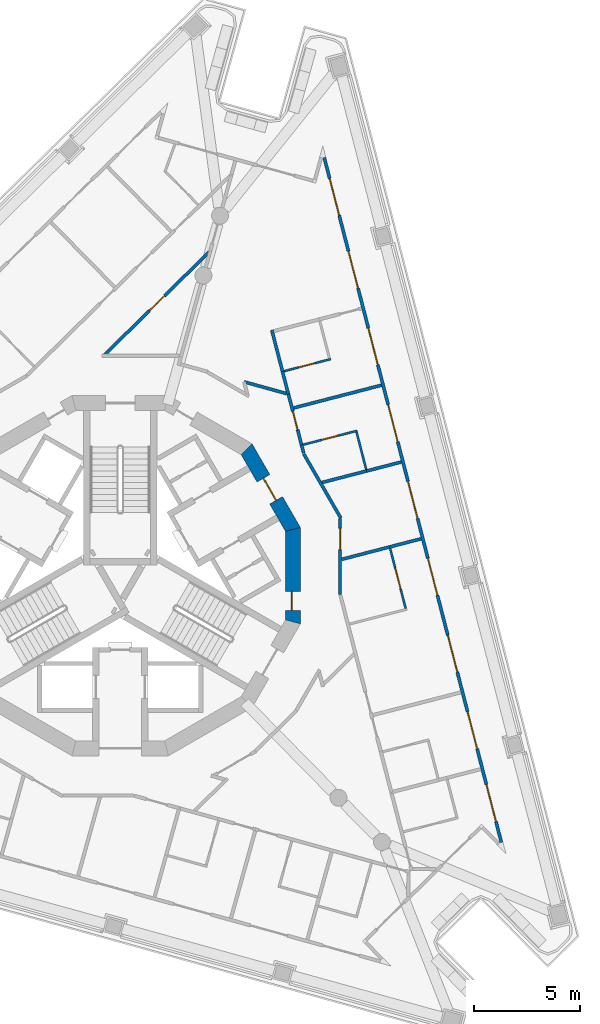
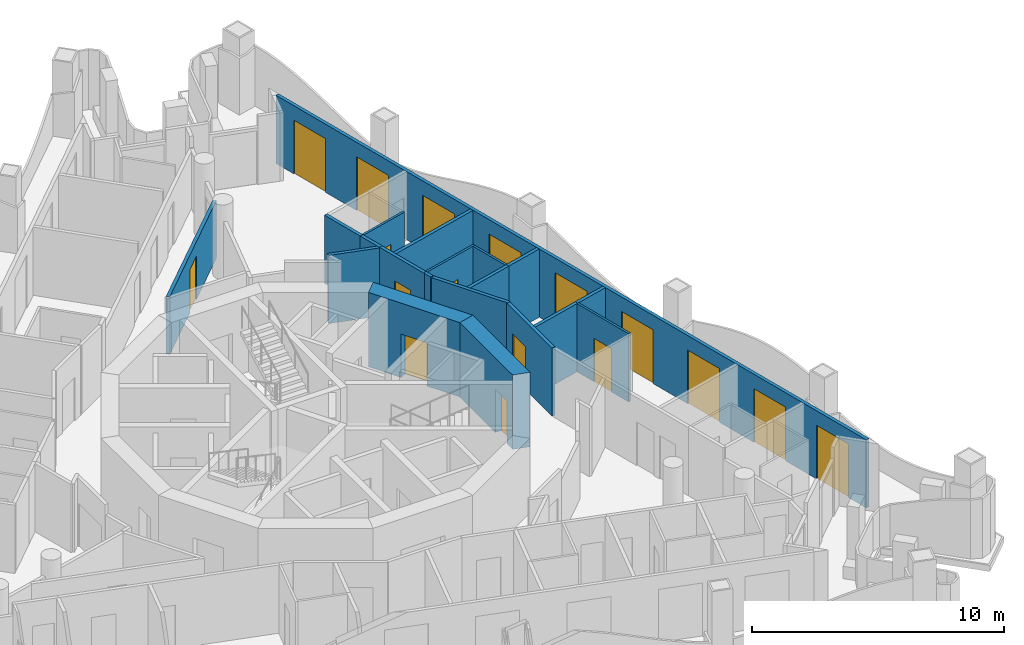
# One storey, part 7 of 14: 20 walls, 17 doors, 17 openings.
"""IFC4 building model written with IfcOpenShell, lengths in metres."""

from ifc_helpers import new_model, si_unit, direction, frame, frame_2d, origin, place, context, subcontext, project, spatial, polyline, rectangle, outline, extrude, material, layer, layer_set, type_object, element, fill, save


model = new_model("IFC4")

# Units and contexts
model_context = context("Model", 3, precision=1e-05, world=origin(), true_north=direction((0.0, 1.0)))
body_context = subcontext(model_context, "Body", "Model", "MODEL_VIEW")
ifc_project = project(units=[si_unit("LENGTHUNIT", "METRE"), si_unit("AREAUNIT", "SQUARE_METRE"), si_unit("VOLUMEUNIT", "CUBIC_METRE"), si_unit("PLANEANGLEUNIT", "RADIAN"), si_unit("MASSUNIT", "GRAM", prefix="KILO")], contexts=[model_context])

# Site, building, storey
site_placement = place(None, origin())
site = spatial("IfcSite", under=ifc_project, at=site_placement, CompositionType="ELEMENT")
building_placement = place(site_placement, origin())
building = spatial("IfcBuilding", under=site, at=building_placement, Name="Trine Commons Tower", CompositionType="ELEMENT")
storey_placement = place(building_placement, frame((0.0, 0.0, 249.300048828125)))
storey = spatial("IfcBuildingStorey", under=building, at=storey_placement, Name="L65", CompositionType="ELEMENT", Elevation=249.300048828125)

# Wall, openings, doors
ifc_material_1 = material(Name="Aluminium-framed insulated wall panel", Category="aluminium")
ifc_layer_1 = layer(ifc_material_1, 0.14990234375)
ifc_layer_set_1 = layer_set([ifc_layer_1], Name="Aluminium-framed insulated wall panel")
wall_type_1 = type_object("IfcWallType", Name="Glazed frame wall 150, EI 60", PredefinedType="SOLIDWALL", material=ifc_layer_set_1)
wall_1_placement = place(storey_placement, frame((89.59130859375, 82.377685546875, 0.0), z_axis=(0.0, 0.0, 1.0), x_axis=(0.250378839788, -0.968147941477, 0.0)))
wall_1 = element("IfcWall", 1, at=wall_1_placement, inside=storey, type_object=wall_type_1, Name="Glazed frame wall F2", PredefinedType="SOLIDWALL", context=body_context, shape_type="SweptSolid", body=[
    extrude(outline(polyline([(0.1494140625, 0.074951171875), (0.1494140625, -0.074951171875), (33.536865234375, -0.074951171875), (33.536865234375, 0.074951171875), (0.1494140625, 0.074951171875)])), origin(), (0.0, 0.0, 1.0), 3.300048828125),
])
opening_1_placement = place(wall_1_placement, frame((1.17138671875, 0.0, 0.0)))
opening_1 = element("IfcOpeningElement", 2, at=opening_1_placement, cuts=wall_1, Name="Opening BD-7F2-01", PredefinedType="OPENING", context=body_context, shape_type="SweptSolid", body=[
    extrude(rectangle(XDim=1.800048828125, YDim=2.60009765625, at=frame_2d((0.89990234375, 1.300048828125))), frame((0.0, 0.0849609375, 0.0), z_axis=(0.0, -1.0, 0.0), x_axis=(1.0, 0.0, 0.0)), (0.0, 0.0, 1.0), 0.169921875),
])
opening_2_placement = place(wall_1_placement, frame((4.71435546875, 0.0, 0.0)))
opening_2 = element("IfcOpeningElement", 3, at=opening_2_placement, cuts=wall_1, Name="Opening BD-7F2-02", PredefinedType="OPENING", context=body_context, shape_type="SweptSolid", body=[
    extrude(rectangle(XDim=1.800048828125, YDim=2.60009765625, at=frame_2d((0.89990234375, 1.300048828125))), frame((0.0, 0.0849609375, 0.0), z_axis=(0.0, -1.0, 0.0), x_axis=(1.0, 0.0, 0.0)), (0.0, 0.0, 1.0), 0.169921875),
])
opening_3_placement = place(wall_1_placement, frame((8.457275390625, 0.0, 0.0)))
opening_3 = element("IfcOpeningElement", 4, at=opening_3_placement, cuts=wall_1, Name="Opening BD-7F2-03", PredefinedType="OPENING", context=body_context, shape_type="SweptSolid", body=[
    extrude(rectangle(XDim=1.800048828125, YDim=2.60009765625, at=frame_2d((0.89990234375, 1.300048828125))), frame((0.0, 0.0849609375, 0.0), z_axis=(0.0, -1.0, 0.0), x_axis=(1.0, 0.0, 0.0)), (0.0, 0.0, 1.0), 0.169921875),
])
opening_4_placement = place(wall_1_placement, frame((12.2001953125, 0.0, 0.0)))
opening_4 = element("IfcOpeningElement", 5, at=opening_4_placement, cuts=wall_1, Name="Opening BD-7F2-04", PredefinedType="OPENING", context=body_context, shape_type="SweptSolid", body=[
    extrude(rectangle(XDim=1.800048828125, YDim=2.60009765625, at=frame_2d((0.89990234375, 1.300048828125))), frame((0.0, 0.0849609375, 0.0), z_axis=(0.0, -1.0, 0.0), x_axis=(1.0, 0.0, 0.0)), (0.0, 0.0, 1.0), 0.169921875),
])
opening_5_placement = place(wall_1_placement, frame((15.943115234375, 0.0, 0.0)))
opening_5 = element("IfcOpeningElement", 6, at=opening_5_placement, cuts=wall_1, Name="Opening BD-7F2-05", PredefinedType="OPENING", context=body_context, shape_type="SweptSolid", body=[
    extrude(rectangle(XDim=1.800048828125, YDim=2.60009765625, at=frame_2d((0.89990234375, 1.300048828125))), frame((0.0, 0.0849609375, 0.0), z_axis=(0.0, -1.0, 0.0), x_axis=(1.0, 0.0, 0.0)), (0.0, 0.0, 1.0), 0.169921875),
])
opening_6_placement = place(wall_1_placement, frame((19.68603515625, 0.0, 0.0)))
opening_6 = element("IfcOpeningElement", 7, at=opening_6_placement, cuts=wall_1, Name="Opening BD-7F2-06", PredefinedType="OPENING", context=body_context, shape_type="SweptSolid", body=[
    extrude(rectangle(XDim=1.800048828125, YDim=2.60009765625, at=frame_2d((0.89990234375, 1.300048828125))), frame((0.0, 0.0849609375, 0.0), z_axis=(0.0, -1.0, 0.0), x_axis=(1.0, 0.0, 0.0)), (0.0, 0.0, 1.0), 0.169921875),
])
opening_7_placement = place(wall_1_placement, frame((23.428955078125, 0.0, 0.0)))
opening_7 = element("IfcOpeningElement", 8, at=opening_7_placement, cuts=wall_1, Name="Opening BD-7F2-07", PredefinedType="OPENING", context=body_context, shape_type="SweptSolid", body=[
    extrude(rectangle(XDim=1.800048828125, YDim=2.60009765625, at=frame_2d((0.89990234375, 1.300048828125))), frame((0.0, 0.0849609375, 0.0), z_axis=(0.0, -1.0, 0.0), x_axis=(1.0, 0.0, 0.0)), (0.0, 0.0, 1.0), 0.169921875),
])
opening_8_placement = place(wall_1_placement, frame((27.171875, 0.0, 0.0)))
opening_8 = element("IfcOpeningElement", 9, at=opening_8_placement, cuts=wall_1, Name="Opening BD-7F2-08", PredefinedType="OPENING", context=body_context, shape_type="SweptSolid", body=[
    extrude(rectangle(XDim=1.800048828125, YDim=2.60009765625, at=frame_2d((0.89990234375, 1.300048828125))), frame((0.0, 0.0849609375, 0.0), z_axis=(0.0, -1.0, 0.0), x_axis=(1.0, 0.0, 0.0)), (0.0, 0.0, 1.0), 0.169921875),
])
opening_9_placement = place(wall_1_placement, frame((30.714599609375, 0.0, 0.0)))
opening_9 = element("IfcOpeningElement", 10, at=opening_9_placement, cuts=wall_1, Name="Opening BD-7F2-09", PredefinedType="OPENING", context=body_context, shape_type="SweptSolid", body=[
    extrude(rectangle(XDim=1.800048828125, YDim=2.60009765625, at=frame_2d((0.89990234375, 1.300048828125))), frame((0.0, 0.0849609375, 0.0), z_axis=(0.0, -1.0, 0.0), x_axis=(1.0, 0.0, 0.0)), (0.0, 0.0, 1.0), 0.169921875),
])
ifc_material_2 = material(Name="Anodised aluminium frame with double glazing", Category="aluminium")
door_type_1 = type_object("IfcDoorType", Name="Sliding loggia door 1800x2600", OperationType="SLIDING_TO_LEFT", PredefinedType="DOOR", material=ifc_material_2)
door_1_placement = place(opening_1_placement, origin())
door_1 = element("IfcDoor", 11, at=door_1_placement, inside=storey, type_object=door_type_1, Name="Loggia door F2 1", OperationType="SLIDING_TO_LEFT", OverallHeight=2.60009765625, OverallWidth=1.800048828125, PredefinedType="DOOR", context=body_context, shape_type="SweptSolid", body=[
    extrude(rectangle(XDim=1.800048828125, YDim=2.60009765625, at=frame_2d((0.89990234375, 1.300048828125))), frame((0.0, 0.02490234375, 0.0), z_axis=(0.0, -1.0, 0.0), x_axis=(1.0, 0.0, 0.0)), (0.0, 0.0, 1.0), 0.050048828125),
])
fill(opening_1, door_1)
door_2_placement = place(opening_2_placement, origin())
door_2 = element("IfcDoor", 12, at=door_2_placement, inside=storey, type_object=door_type_1, Name="Loggia door F2 2", OperationType="SLIDING_TO_LEFT", OverallHeight=2.60009765625, OverallWidth=1.800048828125, PredefinedType="DOOR", context=body_context, shape_type="SweptSolid", body=[
    extrude(rectangle(XDim=1.800048828125, YDim=2.60009765625, at=frame_2d((0.89990234375, 1.300048828125))), frame((0.0, 0.02490234375, 0.0), z_axis=(0.0, -1.0, 0.0), x_axis=(1.0, 0.0, 0.0)), (0.0, 0.0, 1.0), 0.050048828125),
])
fill(opening_2, door_2)
door_3_placement = place(opening_3_placement, origin())
door_3 = element("IfcDoor", 13, at=door_3_placement, inside=storey, type_object=door_type_1, Name="Loggia door F2 3", OperationType="SLIDING_TO_LEFT", OverallHeight=2.60009765625, OverallWidth=1.800048828125, PredefinedType="DOOR", context=body_context, shape_type="SweptSolid", body=[
    extrude(rectangle(XDim=1.800048828125, YDim=2.60009765625, at=frame_2d((0.89990234375, 1.300048828125))), frame((0.0, 0.02490234375, 0.0), z_axis=(0.0, -1.0, 0.0), x_axis=(1.0, 0.0, 0.0)), (0.0, 0.0, 1.0), 0.050048828125),
])
fill(opening_3, door_3)
door_4_placement = place(opening_4_placement, origin())
door_4 = element("IfcDoor", 14, at=door_4_placement, inside=storey, type_object=door_type_1, Name="Loggia door F2 4", OperationType="SLIDING_TO_LEFT", OverallHeight=2.60009765625, OverallWidth=1.800048828125, PredefinedType="DOOR", context=body_context, shape_type="SweptSolid", body=[
    extrude(rectangle(XDim=1.800048828125, YDim=2.60009765625, at=frame_2d((0.89990234375, 1.300048828125))), frame((0.0, 0.02490234375, 0.0), z_axis=(0.0, -1.0, 0.0), x_axis=(1.0, 0.0, 0.0)), (0.0, 0.0, 1.0), 0.050048828125),
])
fill(opening_4, door_4)
door_5_placement = place(opening_5_placement, origin())
door_5 = element("IfcDoor", 15, at=door_5_placement, inside=storey, type_object=door_type_1, Name="Loggia door F2 5", OperationType="SLIDING_TO_LEFT", OverallHeight=2.60009765625, OverallWidth=1.800048828125, PredefinedType="DOOR", context=body_context, shape_type="SweptSolid", body=[
    extrude(rectangle(XDim=1.800048828125, YDim=2.60009765625, at=frame_2d((0.89990234375, 1.300048828125))), frame((0.0, 0.02490234375, 0.0), z_axis=(0.0, -1.0, 0.0), x_axis=(1.0, 0.0, 0.0)), (0.0, 0.0, 1.0), 0.050048828125),
])
fill(opening_5, door_5)
door_6_placement = place(opening_6_placement, origin())
door_6 = element("IfcDoor", 16, at=door_6_placement, inside=storey, type_object=door_type_1, Name="Loggia door F2 6", OperationType="SLIDING_TO_LEFT", OverallHeight=2.60009765625, OverallWidth=1.800048828125, PredefinedType="DOOR", context=body_context, shape_type="SweptSolid", body=[
    extrude(rectangle(XDim=1.800048828125, YDim=2.60009765625, at=frame_2d((0.89990234375, 1.300048828125))), frame((0.0, 0.02490234375, 0.0), z_axis=(0.0, -1.0, 0.0), x_axis=(1.0, 0.0, 0.0)), (0.0, 0.0, 1.0), 0.050048828125),
])
fill(opening_6, door_6)
door_7_placement = place(opening_7_placement, origin())
door_7 = element("IfcDoor", 17, at=door_7_placement, inside=storey, type_object=door_type_1, Name="Loggia door F2 7", OperationType="SLIDING_TO_LEFT", OverallHeight=2.60009765625, OverallWidth=1.800048828125, PredefinedType="DOOR", context=body_context, shape_type="SweptSolid", body=[
    extrude(rectangle(XDim=1.800048828125, YDim=2.60009765625, at=frame_2d((0.89990234375, 1.300048828125))), frame((0.0, 0.02490234375, 0.0), z_axis=(0.0, -1.0, 0.0), x_axis=(1.0, 0.0, 0.0)), (0.0, 0.0, 1.0), 0.050048828125),
])
fill(opening_7, door_7)
door_8_placement = place(opening_8_placement, origin())
door_8 = element("IfcDoor", 18, at=door_8_placement, inside=storey, type_object=door_type_1, Name="Loggia door F2 8", OperationType="SLIDING_TO_LEFT", OverallHeight=2.60009765625, OverallWidth=1.800048828125, PredefinedType="DOOR", context=body_context, shape_type="SweptSolid", body=[
    extrude(rectangle(XDim=1.800048828125, YDim=2.60009765625, at=frame_2d((0.89990234375, 1.300048828125))), frame((0.0, 0.02490234375, 0.0), z_axis=(0.0, -1.0, 0.0), x_axis=(1.0, 0.0, 0.0)), (0.0, 0.0, 1.0), 0.050048828125),
])
fill(opening_8, door_8)
door_9_placement = place(opening_9_placement, origin())
door_9 = element("IfcDoor", 19, at=door_9_placement, inside=storey, type_object=door_type_1, Name="Loggia door F2 9", OperationType="SLIDING_TO_LEFT", OverallHeight=2.60009765625, OverallWidth=1.800048828125, PredefinedType="DOOR", context=body_context, shape_type="SweptSolid", body=[
    extrude(rectangle(XDim=1.800048828125, YDim=2.60009765625, at=frame_2d((0.89990234375, 1.300048828125))), frame((0.0, 0.02490234375, 0.0), z_axis=(0.0, -1.0, 0.0), x_axis=(1.0, 0.0, 0.0)), (0.0, 0.0, 1.0), 0.050048828125),
])
fill(opening_9, door_9)

# Wall, opening, door
ifc_material_3 = material(Name="Concrete C50/60", Category="concrete")
ifc_layer_2 = layer(ifc_material_3, 0.699951171875)
ifc_layer_set_2 = layer_set([ifc_layer_2], Name="Concrete C50/60")
wall_type_2 = type_object("IfcWallType", Name="RC shear wall 700 mm, C50/60", PredefinedType="SHEAR", material=ifc_layer_set_2)
wall_2_placement = place(storey_placement, frame((88.150146484375, 60.222412109375, 0.0), z_axis=(0.0, 0.0, 1.0), x_axis=(0.0, 1.0, 0.0)))
wall_2 = element("IfcWall", 20, at=wall_2_placement, inside=storey, type_object=wall_type_2, Name="Core wall CWG-01 L65", PredefinedType="SHEAR", context=body_context, shape_type="SweptSolid", body=[
    extrude(outline(polyline([(0.0, -0.35009765625), (4.55517578125, -0.35009765625), (4.36767578125, 0.35009765625), (0.1875, 0.35009765625), (0.0, -0.35009765625)])), origin(), (0.0, 0.0, 1.0), 3.599853515625),
])
opening_10_placement = place(wall_2_placement, frame((0.6416015625, 0.0, 0.0)))
opening_10 = element("IfcOpeningElement", 21, at=opening_10_placement, cuts=wall_2, Name="Opening K15.17", PredefinedType="OPENING", context=body_context, shape_type="SweptSolid", body=[
    extrude(rectangle(XDim=0.89990234375, YDim=2.10009765625, at=frame_2d((0.449951171875, 1.050048828125))), frame((0.0, 0.35986328125, 0.0), z_axis=(0.0, -1.0, 0.0), x_axis=(1.0, 0.0, 0.0)), (0.0, 0.0, 1.0), 0.719970703125),
])
ifc_material_4 = material(Name="Steel door leaf, fire-rated", Category="steel")
door_type_2 = type_object("IfcDoorType", Name="Core room door, single leaf 900 x 2100, FD30S", OperationType="SINGLE_SWING_LEFT", PredefinedType="DOOR", material=ifc_material_4)
door_10_placement = place(opening_10_placement, origin())
door_10 = element("IfcDoor", 22, at=door_10_placement, inside=storey, type_object=door_type_2, Name="Door to Core WC L65", OperationType="SINGLE_SWING_LEFT", OverallHeight=2.10009765625, OverallWidth=0.89990234375, PredefinedType="DOOR", context=body_context, shape_type="SweptSolid", body=[
    extrude(rectangle(XDim=0.89990234375, YDim=2.10009765625, at=frame_2d((0.449951171875, 1.050048828125))), frame((0.0, 0.0751953125, 0.0), z_axis=(0.0, -1.0, 0.0), x_axis=(1.0, 0.0, 0.0)), (0.0, 0.0, 1.0), 0.050048828125),
])
fill(opening_10, door_10)

wall_3_placement = place(storey_placement, frame((88.197021484375, 64.6025390625, 0.0), z_axis=(0.0, 0.0, 1.0), x_axis=(-0.499983800959, 0.866034756103, 0.0)))
wall_3 = element("IfcWall", 23, at=wall_3_placement, inside=storey, type_object=wall_type_2, Name="Core wall CWG-02 L65", PredefinedType="SHEAR", context=body_context, shape_type="SweptSolid", body=[
    extrude(outline(polyline([(0.0, -0.35009765625), (4.55517578125, -0.35009765625), (4.36767578125, 0.35009765625), (0.1875, 0.35009765625), (0.0, -0.35009765625)])), origin(), (0.0, 0.0, 1.0), 3.599853515625),
])
opening_11_placement = place(wall_3_placement, frame((1.677490234375, 0.0, 0.0)))
opening_11 = element("IfcOpeningElement", 24, at=opening_11_placement, cuts=wall_3, Name="Opening K15.04", PredefinedType="OPENING", context=body_context, shape_type="SweptSolid", body=[
    extrude(rectangle(XDim=1.199951171875, YDim=2.10009765625, at=frame_2d((0.60009765625, 1.050048828125))), frame((0.0, 0.35986328125, 0.0), z_axis=(0.0, -1.0, 0.0), x_axis=(1.0, 0.0, 0.0)), (0.0, 0.0, 1.0), 0.719970703125),
])
ifc_material_5 = material(Name="Steel door leaves, fire-rated", Category="steel")
door_type_3 = type_object("IfcDoorType", Name="Lobby door, double leaf 1200 x 2100, FD60", OperationType="DOUBLE_DOOR_SINGLE_SWING", PredefinedType="DOOR", material=ifc_material_5)
door_11_placement = place(opening_11_placement, origin())
door_11 = element("IfcDoor", 25, at=door_11_placement, inside=storey, type_object=door_type_3, Name="Lobby door, Core lounge L65", OperationType="DOUBLE_DOOR_SINGLE_SWING", OverallHeight=2.10009765625, OverallWidth=1.199951171875, PredefinedType="DOOR", context=body_context, shape_type="SweptSolid", body=[
    extrude(rectangle(XDim=1.199951171875, YDim=2.10009765625, at=frame_2d((0.60009765625, 1.050048828125))), frame((0.0, 0.02490234375, 0.0), z_axis=(0.0, -1.0, 0.0), x_axis=(1.0, 0.0, 0.0)), (0.0, 0.0, 1.0), 0.050048828125),
])
fill(opening_11, door_11)

ifc_material_6 = material(Name="Gypsum plasterboard on steel stud", Category="steel")
ifc_layer_3 = layer(ifc_material_6, 0.14990234375)
ifc_layer_set_3 = layer_set([ifc_layer_3], Name="Gypsum plasterboard on steel stud")
wall_type_3 = type_object("IfcWallType", Name="Unit and corridor wall 150 mm, EI 60", PredefinedType="PARTITIONING", material=ifc_layer_set_3)
wall_4_placement = place(storey_placement, frame((79.265380859375, 72.927490234375, 0.0), z_axis=(0.0, 0.0, 1.0), x_axis=(0.713171352484, 0.700989744572, 0.0)))
wall_4 = element("IfcWall", 26, at=wall_4_placement, inside=storey, type_object=wall_type_3, Name="Partition 047", PredefinedType="PARTITIONING", context=body_context, shape_type="SweptSolid", body=[
    extrude(rectangle(XDim=6.914306640625, YDim=0.14990234375, at=frame_2d((3.45703125, 0.0))), origin(), (0.0, 0.0, 1.0), 2.800048828125),
])
opening_12_placement = place(wall_4_placement, frame((2.95703125, 0.0, 0.0)))
opening_12 = element("IfcOpeningElement", 27, at=opening_12_placement, cuts=wall_4, Name="Opening D-7B25", PredefinedType="OPENING", context=body_context, shape_type="SweptSolid", body=[
    extrude(rectangle(XDim=1.0, YDim=2.10009765625, at=frame_2d((0.5, 1.050048828125))), frame((0.0, 0.0849609375, 0.0), z_axis=(0.0, -1.0, 0.0), x_axis=(1.0, 0.0, 0.0)), (0.0, 0.0, 1.0), 0.169921875),
])
ifc_material_7 = material(Name="Painted timber", Category="wood")
door_type_4 = type_object("IfcDoorType", Name="Toilet door 1000 x 2100, NOT RATED", OperationType="NOTDEFINED", PredefinedType="DOOR", material=ifc_material_7)
door_12_placement = place(opening_12_placement, frame((1.0, 0.0, 0.0), z_axis=(0.0, 0.0, 1.0), x_axis=(-1.0, 0.0, 0.0)))
door_12 = element("IfcDoor", 28, at=door_12_placement, inside=storey, type_object=door_type_4, Name="Door D-7B25", OperationType="SINGLE_SWING_RIGHT", OverallHeight=2.10009765625, OverallWidth=1.0, PredefinedType="DOOR", context=body_context, shape_type="SweptSolid", body=[
    extrude(rectangle(XDim=1.0, YDim=2.10009765625, at=frame_2d((0.5, 1.050048828125))), frame((0.0, 0.02490234375, 0.0), z_axis=(0.0, -1.0, 0.0), x_axis=(1.0, 0.0, 0.0)), (0.0, 0.0, 1.0), 0.050048828125),
])
fill(opening_12, door_12)

# Walls
wall_5_placement = place(storey_placement, frame((85.85205078125, 71.64599609375, 0.0), z_axis=(0.0, 0.0, 1.0), x_axis=(0.963638385721, -0.267209770713, 0.0)))
element("IfcWall", 29, at=wall_5_placement, inside=storey, type_object=wall_type_3, Name="Partition 069", PredefinedType="PARTITIONING", context=body_context, shape_type="SweptSolid", body=[
    extrude(rectangle(XDim=2.088623046875, YDim=0.14990234375, at=frame_2d((1.04443359375, 0.0))), origin(), (0.0, 0.0, 1.0), 3.300048828125),
])
wall_6_placement = place(storey_placement, frame((87.1533203125, 74.092529296875, 0.0), z_axis=(0.0, 0.0, 1.0), x_axis=(0.250236698058, -0.968184690514, 0.0)))
element("IfcWall", 30, at=wall_6_placement, inside=storey, type_object=wall_type_3, Name="Partition 072", PredefinedType="PARTITIONING", context=body_context, shape_type="SweptSolid", body=[
    extrude(rectangle(XDim=2.0791015625, YDim=0.14990234375, at=frame_2d((1.03955078125, 0.0))), origin(), (0.0, 0.0, 1.0), 3.300048828125),
])
wall_7_placement = place(storey_placement, frame((87.658935546875, 72.135986328125, 0.0), z_axis=(0.0, 0.0, 1.0), x_axis=(0.250686204405, -0.968068399919, 0.0)))
element("IfcWall", 31, at=wall_7_placement, inside=storey, type_object=wall_type_3, Name="Partition 076", PredefinedType="PARTITIONING", context=body_context, shape_type="SweptSolid", body=[
    extrude(rectangle(XDim=1.10546875, YDim=0.14990234375, at=frame_2d((0.552734375, 0.0))), origin(), (0.0, 0.0, 1.0), 3.300048828125),
])

# Wall, opening, door
wall_8_placement = place(storey_placement, frame((87.93798828125, 71.06689453125, 0.0), z_axis=(0.0, 0.0, 1.0), x_axis=(0.250288033439, -0.968171420936, 0.0)))
wall_8 = element("IfcWall", 32, at=wall_8_placement, inside=storey, type_object=wall_type_3, Name="Partition 078", PredefinedType="PARTITIONING", context=body_context, shape_type="SweptSolid", body=[
    extrude(rectangle(XDim=2.5390625, YDim=0.14990234375, at=frame_2d((1.26953125, 0.0))), origin(), (0.0, 0.0, 1.0), 3.300048828125),
])
opening_13_placement = place(wall_8_placement, frame((0.84228515625, 0.0, 0.0)))
opening_13 = element("IfcOpeningElement", 33, at=opening_13_placement, cuts=wall_8, Name="Opening D-7B11", PredefinedType="OPENING", context=body_context, shape_type="SweptSolid", body=[
    extrude(rectangle(XDim=0.89990234375, YDim=2.10009765625, at=frame_2d((0.449951171875, 1.050048828125))), frame((0.0, 0.0849609375, 0.0), z_axis=(0.0, -1.0, 0.0), x_axis=(1.0, 0.0, 0.0)), (0.0, 0.0, 1.0), 0.169921875),
])
ifc_material_8 = material(Name="Timber fire door set", Category="wood")
door_type_5 = type_object("IfcDoorType", Name="Bedroom door 900 x 2100, FD30S", OperationType="NOTDEFINED", PredefinedType="DOOR", material=ifc_material_8)
door_13_placement = place(opening_13_placement, origin())
door_13 = element("IfcDoor", 34, at=door_13_placement, inside=storey, type_object=door_type_5, Name="Door D-7B11", OperationType="SINGLE_SWING_RIGHT", OverallHeight=2.10009765625, OverallWidth=0.89990234375, PredefinedType="DOOR", context=body_context, shape_type="SweptSolid", body=[
    extrude(rectangle(XDim=0.89990234375, YDim=2.10009765625, at=frame_2d((0.449951171875, 1.050048828125))), frame((0.0, 0.02490234375, 0.0), z_axis=(0.0, -1.0, 0.0), x_axis=(1.0, 0.0, 0.0)), (0.0, 0.0, 1.0), 0.050048828125),
])
fill(opening_13, door_13)

# Walls
wall_9_placement = place(storey_placement, frame((88.181640625, 70.414794921875, 0.0), z_axis=(0.0, 0.0, 1.0), x_axis=(0.968129527106, 0.250450032434, 0.0)))
element("IfcWall", 35, at=wall_9_placement, inside=storey, type_object=wall_type_3, Name="Partition 079", PredefinedType="PARTITIONING", context=body_context, shape_type="SweptSolid", body=[
    extrude(rectangle(XDim=4.28515625, YDim=0.14990234375, at=frame_2d((2.142578125, 0.0))), origin(), (0.0, 0.0, 1.0), 3.300048828125),
])
wall_10_placement = place(storey_placement, frame((88.5576171875, 68.670654296875, 0.0), z_axis=(0.0, 0.0, 1.0), x_axis=(0.249564283258, -0.96835823357, 0.0)))
element("IfcWall", 36, at=wall_10_placement, inside=storey, type_object=wall_type_3, Name="Partition 082", PredefinedType="PARTITIONING", context=body_context, shape_type="SweptSolid", body=[
    extrude(rectangle(XDim=0.400146484375, YDim=0.14990234375, at=frame_2d((0.2001953125, 0.0))), origin(), (0.0, 0.0, 1.0), 3.300048828125),
])
wall_11_placement = place(storey_placement, frame((88.659912109375, 68.2490234375, 0.0), z_axis=(0.0, 0.0, 1.0), x_axis=(0.500223035479, -0.865896595891, 0.0)))
element("IfcWall", 37, at=wall_11_placement, inside=storey, type_object=wall_type_3, Name="Partition 083", PredefinedType="PARTITIONING", context=body_context, shape_type="SweptSolid", body=[
    extrude(rectangle(XDim=3.50390625, YDim=0.14990234375, at=frame_2d((1.751953125, 0.0))), origin(), (0.0, 0.0, 1.0), 3.300048828125),
])
wall_12_placement = place(storey_placement, frame((89.525634765625, 66.896728515625, 0.0), z_axis=(0.0, 0.0, 1.0), x_axis=(0.96820093058, 0.250173855596, 0.0)))
element("IfcWall", 38, at=wall_12_placement, inside=storey, type_object=wall_type_3, Name="Partition 091", PredefinedType="PARTITIONING", context=body_context, shape_type="SweptSolid", body=[
    extrude(rectangle(XDim=2.17138671875, YDim=0.14990234375, at=frame_2d((1.085693359375, 0.0))), origin(), (0.0, 0.0, 1.0), 3.300048828125),
])

# Wall, opening, door
wall_13_placement = place(storey_placement, frame((90.375, 61.616943359375, 0.0), z_axis=(0.0, 0.0, 1.0), x_axis=(0.0, 1.0, 0.0)))
wall_13 = element("IfcWall", 39, at=wall_13_placement, inside=storey, type_object=wall_type_3, Name="Partition 093", PredefinedType="PARTITIONING", context=body_context, shape_type="SweptSolid", body=[
    extrude(rectangle(XDim=3.588134765625, YDim=0.14990234375, at=frame_2d((1.7939453125, 0.0))), origin(), (0.0, 0.0, 1.0), 3.300048828125),
])
opening_14_placement = place(wall_13_placement, frame((2.110595703125, 0.0, 0.0)))
opening_14 = element("IfcOpeningElement", 40, at=opening_14_placement, cuts=wall_13, Name="Opening D-7B12", PredefinedType="OPENING", context=body_context, shape_type="SweptSolid", body=[
    extrude(rectangle(XDim=1.0, YDim=2.10009765625, at=frame_2d((0.5, 1.050048828125))), frame((0.0, 0.0849609375, 0.0), z_axis=(0.0, -1.0, 0.0), x_axis=(1.0, 0.0, 0.0)), (0.0, 0.0, 1.0), 0.169921875),
])
door_type_6 = type_object("IfcDoorType", Name="Amenity room door 1000 x 2100, NOT RATED", OperationType="NOTDEFINED", PredefinedType="DOOR", material=ifc_material_7)
door_14_placement = place(opening_14_placement, frame((1.0, 0.0, 0.0), z_axis=(0.0, 0.0, 1.0), x_axis=(-1.0, 0.0, 0.0)))
door_14 = element("IfcDoor", 41, at=door_14_placement, inside=storey, type_object=door_type_6, Name="Door D-7B12", OperationType="SINGLE_SWING_LEFT", OverallHeight=2.10009765625, OverallWidth=1.0, PredefinedType="DOOR", context=body_context, shape_type="SweptSolid", body=[
    extrude(rectangle(XDim=1.0, YDim=2.10009765625, at=frame_2d((0.5, 1.050048828125))), frame((0.0, 0.02490234375, 0.0), z_axis=(0.0, -1.0, 0.0), x_axis=(1.0, 0.0, 0.0)), (0.0, 0.0, 1.0), 0.050048828125),
])
fill(opening_14, door_14)

# Walls
wall_14_placement = place(storey_placement, frame((90.447509765625, 63.268798828125, 0.0), z_axis=(0.0, 0.0, 1.0), x_axis=(0.968112624029, 0.250515363194, 0.0)))
element("IfcWall", 42, at=wall_14_placement, inside=storey, type_object=wall_type_3, Name="Partition 094", PredefinedType="PARTITIONING", context=body_context, shape_type="SweptSolid", body=[
    extrude(rectangle(XDim=2.3515625, YDim=0.14990234375, at=frame_2d((1.17578125, 0.0))), origin(), (0.0, 0.0, 1.0), 3.300048828125),
])
wall_15_placement = place(storey_placement, frame((91.6279296875, 67.43994140625, 0.0), z_axis=(0.0, 0.0, 1.0), x_axis=(0.968134256409, 0.250431750318, 0.0)))
element("IfcWall", 43, at=wall_15_placement, inside=storey, type_object=wall_type_3, Name="Partition 099", PredefinedType="PARTITIONING", context=body_context, shape_type="SweptSolid", body=[
    extrude(rectangle(XDim=1.693359375, YDim=0.14990234375, at=frame_2d((0.8466796875, 0.0))), origin(), (0.0, 0.0, 1.0), 3.300048828125),
])
wall_16_placement = place(storey_placement, frame((92.716064453125, 63.85595703125, 0.0), z_axis=(0.0, 0.0, 1.0), x_axis=(0.968129651739, 0.250449550655, 0.0)))
element("IfcWall", 44, at=wall_16_placement, inside=storey, type_object=wall_type_3, Name="Partition 104", PredefinedType="PARTITIONING", context=body_context, shape_type="SweptSolid", body=[
    extrude(rectangle(XDim=1.537353515625, YDim=0.14990234375, at=frame_2d((0.7685546875, 0.0))), origin(), (0.0, 0.0, 1.0), 3.300048828125),
])

# Wall, opening, door
ifc_layer_4 = layer(ifc_material_6, 0.10009765625)
ifc_layer_set_4 = layer_set([ifc_layer_4], Name="Gypsum plasterboard on steel stud")
wall_type_4 = type_object("IfcWallType", Name="Unit partition 100 mm, no rating", PredefinedType="PARTITIONING", material=ifc_layer_set_4)
wall_17_placement = place(storey_placement, frame((87.732666015625, 72.15087890625, 0.0), z_axis=(0.0, 0.0, 1.0), x_axis=(0.968154087165, 0.250355074856, 0.0)))
wall_17 = element("IfcWall", 45, at=wall_17_placement, inside=storey, type_object=wall_type_4, Name="Partition 077", PredefinedType="PARTITIONING", context=body_context, shape_type="SweptSolid", body=[
    extrude(rectangle(XDim=2.275146484375, YDim=0.10009765625, at=frame_2d((1.1376953125, 0.0))), origin(), (0.0, 0.0, 1.0), 3.300048828125),
])
opening_15_placement = place(wall_17_placement, frame((0.712646484375, 0.0, 0.0)))
opening_15 = element("IfcOpeningElement", 46, at=opening_15_placement, cuts=wall_17, Name="Opening D-7B30", PredefinedType="OPENING", context=body_context, shape_type="SweptSolid", body=[
    extrude(rectangle(XDim=0.800048828125, YDim=2.10009765625, at=frame_2d((0.39990234375, 1.050048828125))), frame((0.0, 0.06005859375, 0.0), z_axis=(0.0, -1.0, 0.0), x_axis=(1.0, 0.0, 0.0)), (0.0, 0.0, 1.0), 0.1201171875),
])
door_type_7 = type_object("IfcDoorType", Name="Internal door 800 x 2100, NOT RATED", OperationType="NOTDEFINED", PredefinedType="DOOR", material=ifc_material_7)
door_15_placement = place(opening_15_placement, frame((0.800048828125, 0.0, 0.0), z_axis=(0.0, 0.0, 1.0), x_axis=(-1.0, 0.0, 0.0)))
door_15 = element("IfcDoor", 47, at=door_15_placement, inside=storey, type_object=door_type_7, Name="Door D-7B30", OperationType="SINGLE_SWING_RIGHT", OverallHeight=2.10009765625, OverallWidth=0.800048828125, PredefinedType="DOOR", context=body_context, shape_type="SweptSolid", body=[
    extrude(rectangle(XDim=0.800048828125, YDim=2.10009765625, at=frame_2d((0.39990234375, 1.050048828125))), frame((0.0, 0.02490234375, 0.0), z_axis=(0.0, -1.0, 0.0), x_axis=(1.0, 0.0, 0.0)), (0.0, 0.0, 1.0), 0.050048828125),
])
fill(opening_15, door_15)

wall_18_placement = place(storey_placement, frame((88.630615234375, 68.6787109375, 0.0), z_axis=(0.0, 0.0, 1.0), x_axis=(0.968114849412, 0.250506763077, 0.0)))
wall_18 = element("IfcWall", 48, at=wall_18_placement, inside=storey, type_object=wall_type_4, Name="Partition 081", PredefinedType="PARTITIONING", context=body_context, shape_type="SweptSolid", body=[
    extrude(rectangle(XDim=2.64208984375, YDim=0.10009765625, at=frame_2d((1.321044921875, 0.0))), origin(), (0.0, 0.0, 1.0), 3.300048828125),
])
opening_16_placement = place(wall_18_placement, frame((0.89599609375, 0.0, 0.0)))
opening_16 = element("IfcOpeningElement", 49, at=opening_16_placement, cuts=wall_18, Name="Opening D-7B31", PredefinedType="OPENING", context=body_context, shape_type="SweptSolid", body=[
    extrude(rectangle(XDim=0.800048828125, YDim=2.10009765625, at=frame_2d((0.39990234375, 1.050048828125))), frame((0.0, 0.06005859375, 0.0), z_axis=(0.0, -1.0, 0.0), x_axis=(1.0, 0.0, 0.0)), (0.0, 0.0, 1.0), 0.1201171875),
])
door_16_placement = place(opening_16_placement, origin())
door_16 = element("IfcDoor", 50, at=door_16_placement, inside=storey, type_object=door_type_7, Name="Door D-7B31", OperationType="SINGLE_SWING_LEFT", OverallHeight=2.10009765625, OverallWidth=0.800048828125, PredefinedType="DOOR", context=body_context, shape_type="SweptSolid", body=[
    extrude(rectangle(XDim=0.800048828125, YDim=2.10009765625, at=frame_2d((0.39990234375, 1.050048828125))), frame((0.0, 0.02490234375, 0.0), z_axis=(0.0, -1.0, 0.0), x_axis=(1.0, 0.0, 0.0)), (0.0, 0.0, 1.0), 0.050048828125),
])
fill(opening_16, door_16)

# Wall
wall_19_placement = place(storey_placement, frame((91.152587890625, 69.279541015625, 0.0), z_axis=(0.0, 0.0, 1.0), x_axis=(0.250177423801, -0.968200008583, 0.0)))
element("IfcWall", 51, at=wall_19_placement, inside=storey, type_object=wall_type_4, Name="Partition 097", PredefinedType="PARTITIONING", context=body_context, shape_type="SweptSolid", body=[
    extrude(rectangle(XDim=1.824951171875, YDim=0.10009765625, at=frame_2d((0.91259765625, 0.0))), origin(), (0.0, 0.0, 1.0), 3.300048828125),
])

# Wall, opening, door
wall_20_placement = place(storey_placement, frame((92.73876953125, 63.784423828125, 0.0), z_axis=(0.0, 0.0, 1.0), x_axis=(0.25046104816, -0.968126677328, 0.0)))
wall_20 = element("IfcWall", 52, at=wall_20_placement, inside=storey, type_object=wall_type_4, Name="Partition 105", PredefinedType="PARTITIONING", context=body_context, shape_type="SweptSolid", body=[
    extrude(rectangle(XDim=2.92529296875, YDim=0.10009765625, at=frame_2d((1.462646484375, 0.0))), origin(), (0.0, 0.0, 1.0), 3.300048828125),
])
opening_17_placement = place(wall_20_placement, frame((0.962646484375, 0.0, 0.0)))
opening_17 = element("IfcOpeningElement", 53, at=opening_17_placement, cuts=wall_20, Name="Opening D-7B32", PredefinedType="OPENING", context=body_context, shape_type="SweptSolid", body=[
    extrude(rectangle(XDim=1.0, YDim=2.10009765625, at=frame_2d((0.5, 1.050048828125))), frame((0.0, 0.06005859375, 0.0), z_axis=(0.0, -1.0, 0.0), x_axis=(1.0, 0.0, 0.0)), (0.0, 0.0, 1.0), 0.1201171875),
])
door_type_8 = type_object("IfcDoorType", Name="Internal door 1000 x 2100, NOT RATED", OperationType="NOTDEFINED", PredefinedType="DOOR", material=ifc_material_7)
door_17_placement = place(opening_17_placement, origin())
door_17 = element("IfcDoor", 54, at=door_17_placement, inside=storey, type_object=door_type_8, Name="Door D-7B32", OperationType="SINGLE_SWING_LEFT", OverallHeight=2.10009765625, OverallWidth=1.0, PredefinedType="DOOR", context=body_context, shape_type="SweptSolid", body=[
    extrude(rectangle(XDim=1.0, YDim=2.10009765625, at=frame_2d((0.5, 1.050048828125))), frame((0.0, 0.02490234375, 0.0), z_axis=(0.0, -1.0, 0.0), x_axis=(1.0, 0.0, 0.0)), (0.0, 0.0, 1.0), 0.050048828125),
])
fill(opening_17, door_17)

save(model, "model.ifc")
